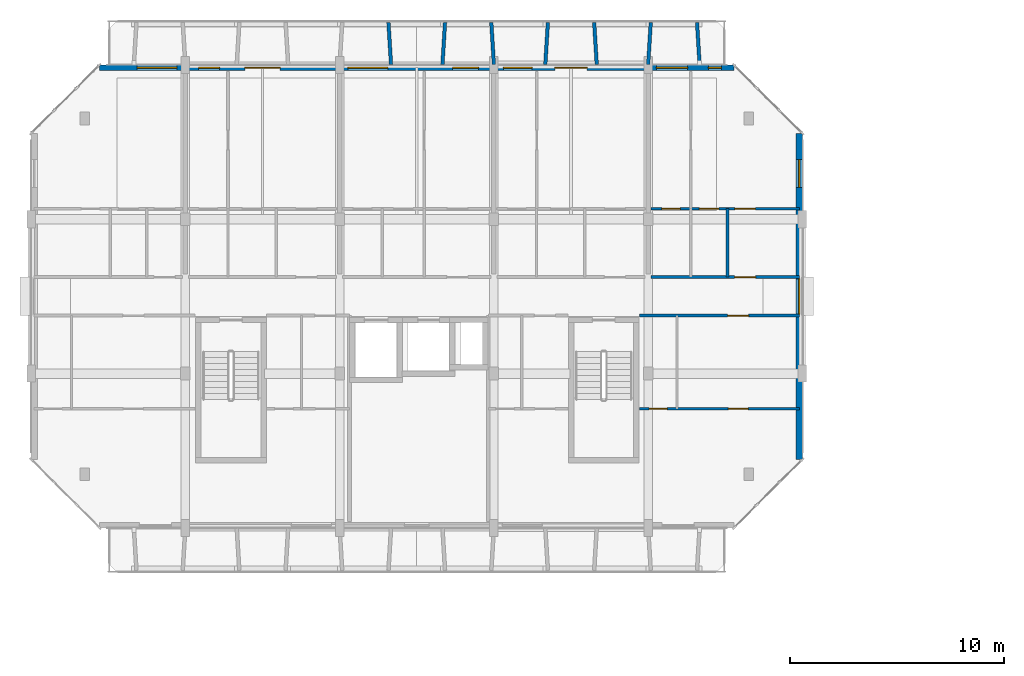
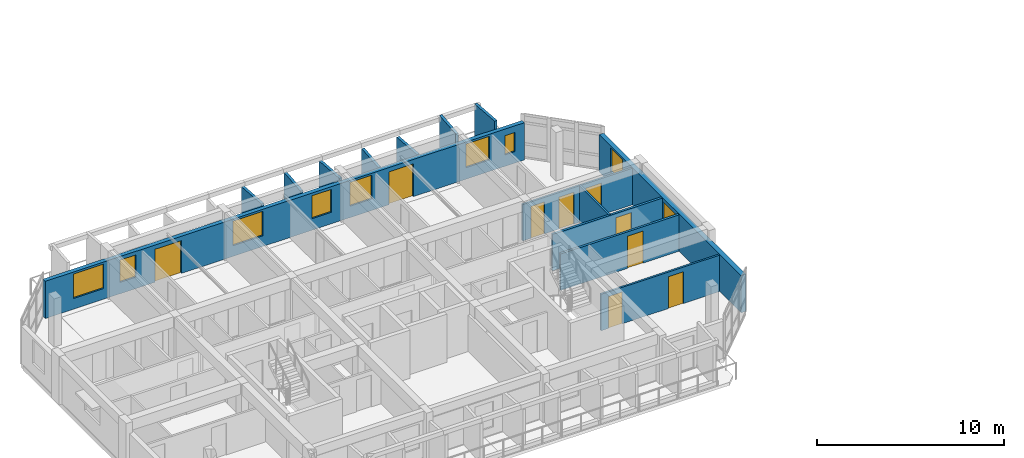
# One storey, part 21 of 40: 14 walls, 9 doors, 9 windows, 18 openings.
"""IFC4 building model written with IfcOpenShell, lengths in metres."""

from ifc_helpers import new_model, si_unit, direction, frame, frame_2d, origin, place, context, subcontext, project, spatial, rectangle, extrude, material, layer, layer_set, type_object, element, fill, save


model = new_model("IFC4")

# Units and contexts
model_context = context("Model", 3, precision=1e-05, world=origin(), true_north=direction((0.0, 1.0)))
body_context = subcontext(model_context, "Body", "Model", "MODEL_VIEW")
ifc_project = project(units=[si_unit("LENGTHUNIT", "METRE"), si_unit("AREAUNIT", "SQUARE_METRE"), si_unit("VOLUMEUNIT", "CUBIC_METRE"), si_unit("PLANEANGLEUNIT", "RADIAN"), si_unit("MASSUNIT", "GRAM", prefix="KILO")], contexts=[model_context])

# Site, building, storey
site_placement = place(None, origin())
site = spatial("IfcSite", under=ifc_project, at=site_placement, CompositionType="ELEMENT")
building_placement = place(site_placement, origin())
building = spatial("IfcBuilding", under=site, at=building_placement, Name="Ochrevale Crest", CompositionType="ELEMENT")
storey_placement = place(building_placement, frame((0.0, 0.0, 27.60009765625)))
storey = spatial("IfcBuildingStorey", under=building, at=storey_placement, Name="L08", CompositionType="ELEMENT", Elevation=27.60009765625)

# Wall, opening, door
ifc_material_1 = material(Name="Gypsum plasterboard", Category="gypsum")
ifc_layer_1 = layer(ifc_material_1, 0.139892578125)
ifc_layer_set_1 = layer_set([ifc_layer_1], Name="Gypsum plasterboard")
wall_type_1 = type_object("IfcWallType", Name="WL-COR-140", PredefinedType="PARTITIONING", material=ifc_layer_set_1)
wall_1_placement = place(storey_placement, frame((28.93994140625, 83.699951171875, 0.0), z_axis=(0.0, 0.0, 1.0), x_axis=(1.0, 0.0, 0.0)))
wall_1 = element("IfcWall", 1, at=wall_1_placement, inside=storey, type_object=wall_type_1, Name="Apartment B-L08-U5 corridor wall", PredefinedType="PARTITIONING", context=body_context, shape_type="SweptSolid", body=[
    extrude(rectangle(XDim=6.920166015625, YDim=0.139892578125, at=frame_2d((3.4599609375, 0.0))), origin(), (0.0, 0.0, 1.0), 2.3798828125),
])
opening_1_placement = place(wall_1_placement, frame((4.875, 0.0, 0.0), z_axis=(0.0, 0.0, 1.0), x_axis=(-1.0, 0.0, 0.0)))
opening_1 = element("IfcOpeningElement", 2, at=opening_1_placement, cuts=wall_1, Name="Opening FD01", PredefinedType="OPENING", context=body_context, shape_type="SweptSolid", body=[
    extrude(rectangle(XDim=0.97998046875, YDim=2.10009765625, at=frame_2d((0.489990234375, 1.050048828125))), frame((0.0, 0.080078125, 0.0), z_axis=(0.0, -1.0, 0.0), x_axis=(1.0, 0.0, 0.0)), (0.0, 0.0, 1.0), 0.159912109375),
])
ifc_material_2 = material(Name="Solid-core FSC hardwood", Category="wood")
door_type_1 = type_object("IfcDoorType", Name="DR-APT-950", OperationType="NOTDEFINED", PredefinedType="DOOR", material=ifc_material_2)
door_1_placement = place(opening_1_placement, origin())
door_1 = element("IfcDoor", 3, at=door_1_placement, inside=storey, type_object=door_type_1, Name="Apartment B-L08-U5 entrance door", OperationType="SINGLE_SWING_RIGHT", OverallHeight=2.10009765625, OverallWidth=0.97998046875, PredefinedType="DOOR", context=body_context, shape_type="SweptSolid", body=[
    extrude(rectangle(XDim=0.97998046875, YDim=2.10009765625, at=frame_2d((0.489990234375, 1.050048828125))), frame((0.0, 0.02490234375, 0.0), z_axis=(0.0, -1.0, 0.0), x_axis=(1.0, 0.0, 0.0)), (0.0, 0.0, 1.0), 0.050048828125),
])
fill(opening_1, door_1)

wall_2_placement = place(storey_placement, frame((28.389892578125, 81.89990234375, 0.0), z_axis=(0.0, 0.0, 1.0), x_axis=(1.0, 0.0, 0.0)))
wall_2 = element("IfcWall", 4, at=wall_2_placement, inside=storey, type_object=wall_type_1, Name="Suite B-L08-CE corridor wall", PredefinedType="PARTITIONING", context=body_context, shape_type="SweptSolid", body=[
    extrude(rectangle(XDim=7.47021484375, YDim=0.139892578125, at=frame_2d((3.735107421875, 0.0))), origin(), (0.0, 0.0, 1.0), 2.3798828125),
])
opening_2_placement = place(wall_2_placement, frame((5.10009765625, 0.0, 0.0), z_axis=(0.0, 0.0, 1.0), x_axis=(-1.0, 0.0, 0.0)))
opening_2 = element("IfcOpeningElement", 5, at=opening_2_placement, cuts=wall_2, Name="Opening FD01", PredefinedType="OPENING", context=body_context, shape_type="SweptSolid", body=[
    extrude(rectangle(XDim=0.97998046875, YDim=2.10009765625, at=frame_2d((0.489990234375, 1.050048828125))), frame((0.0, 0.080078125, 0.0), z_axis=(0.0, -1.0, 0.0), x_axis=(1.0, 0.0, 0.0)), (0.0, 0.0, 1.0), 0.159912109375),
])
door_2_placement = place(opening_2_placement, origin())
door_2 = element("IfcDoor", 6, at=door_2_placement, inside=storey, type_object=door_type_1, Name="Suite B-L08-CE entrance door", OperationType="SINGLE_SWING_RIGHT", OverallHeight=2.10009765625, OverallWidth=0.97998046875, PredefinedType="DOOR", context=body_context, shape_type="SweptSolid", body=[
    extrude(rectangle(XDim=0.97998046875, YDim=2.10009765625, at=frame_2d((0.489990234375, 1.050048828125))), frame((0.0, 0.02490234375, 0.0), z_axis=(0.0, -1.0, 0.0), x_axis=(1.0, 0.0, 0.0)), (0.0, 0.0, 1.0), 0.050048828125),
])
fill(opening_2, door_2)

# Wall, openings, windows
ifc_material_3 = material(Name="Clay face brickwork", Category="masonry")
ifc_layer_2 = layer(ifc_material_3, 0.2900390625)
ifc_layer_set_2 = layer_set([ifc_layer_2], Name="Clay face brickwork")
wall_type_2 = type_object("IfcWallType", Name="WL-EXT-BRICK-290", PredefinedType="SOLIDWALL", material=ifc_layer_set_2)
wall_3_placement = place(storey_placement, frame((35.85498046875, 75.199951171875, 0.0), z_axis=(0.0, 0.0, 1.0), x_axis=(0.0, 1.0, 0.0)))
wall_3 = element("IfcWall", 7, at=wall_3_placement, inside=storey, type_object=wall_type_2, Name="Block B L08 external facade wall E3", PredefinedType="SOLIDWALL", context=body_context, shape_type="SweptSolid", body=[
    extrude(rectangle(XDim=15.199951171875, YDim=0.2900390625, at=frame_2d((7.60009765625, 0.0))), origin(), (0.0, 0.0, 1.0), 2.429931640625),
])
opening_3_placement = place(wall_3_placement, frame((6.77490234375, 0.0, 1.050048828125)))
opening_3 = element("IfcOpeningElement", 8, at=opening_3_placement, cuts=wall_3, Name="Opening W19", PredefinedType="OPENING", context=body_context, shape_type="SweptSolid", body=[
    extrude(rectangle(XDim=1.64990234375, YDim=1.14990234375, at=frame_2d((0.824951171875, 0.574951171875))), frame((0.0, 0.155029296875, 0.0), z_axis=(0.0, -1.0, 0.0), x_axis=(1.0, 0.0, 0.0)), (0.0, 0.0, 1.0), 0.31005859375),
])
opening_4_placement = place(wall_3_placement, frame((12.68505859375, 0.0, 0.75)))
opening_4 = element("IfcOpeningElement", 9, at=opening_4_placement, cuts=wall_3, Name="Opening W30", PredefinedType="OPENING", context=body_context, shape_type="SweptSolid", body=[
    extrude(rectangle(XDim=1.300048828125, YDim=1.550048828125, at=frame_2d((0.64990234375, 0.77490234375))), frame((0.0, 0.155029296875, 0.0), z_axis=(0.0, -1.0, 0.0), x_axis=(1.0, 0.0, 0.0)), (0.0, 0.0, 1.0), 0.31005859375),
])
ifc_material_4 = material(Name="Anodised aluminium 6063-T5 and low-E double glazing", Category="aluminium")
window_type_1 = type_object("IfcWindowType", Name="WIN-W19", PartitioningType="SINGLE_PANEL", PredefinedType="WINDOW", material=ifc_material_4)
window_1_placement = place(opening_3_placement, origin())
window_1 = element("IfcWindow", 10, at=window_1_placement, inside=storey, type_object=window_type_1, Name="Block B L08 corridor end daylight window E", OverallHeight=1.14990234375, OverallWidth=1.64990234375, PartitioningType="SINGLE_PANEL", PredefinedType="WINDOW", context=body_context, shape_type="SweptSolid", body=[
    extrude(rectangle(XDim=1.64990234375, YDim=1.14990234375, at=frame_2d((0.824951171875, 0.574951171875))), frame((0.0, 0.030029296875, 0.0), z_axis=(0.0, -1.0, 0.0), x_axis=(1.0, 0.0, 0.0)), (0.0, 0.0, 1.0), 0.06005859375),
])
fill(opening_3, window_1)
window_type_2 = type_object("IfcWindowType", Name="WIN-W30", PartitioningType="SINGLE_PANEL", PredefinedType="WINDOW", material=ifc_material_4)
window_2_placement = place(opening_4_placement, origin())
window_2 = element("IfcWindow", 11, at=window_2_placement, inside=storey, type_object=window_type_2, Name="Block B L08 side suite window E", OverallHeight=1.550048828125, OverallWidth=1.300048828125, PartitioningType="SINGLE_PANEL", PredefinedType="WINDOW", context=body_context, shape_type="SweptSolid", body=[
    extrude(rectangle(XDim=1.300048828125, YDim=1.550048828125, at=frame_2d((0.64990234375, 0.77490234375))), frame((0.0, 0.030029296875, 0.0), z_axis=(0.0, -1.0, 0.0), x_axis=(1.0, 0.0, 0.0)), (0.0, 0.0, 1.0), 0.06005859375),
])
fill(opening_4, window_2)

# Wall, openings, doors, windows
ifc_material_5 = material(Name="Precast concrete C40/50", Category="concrete")
ifc_layer_3 = layer(ifc_material_5, 0.25)
ifc_layer_set_3 = layer_set([ifc_layer_3], Name="Precast concrete C40/50")
wall_type_3 = type_object("IfcWallType", Name="WL-EXT-GOLD-250", PredefinedType="SOLIDWALL", material=ifc_layer_set_3)
wall_4_placement = place(storey_placement, frame((32.800048828125, 93.47509765625, 0.0), z_axis=(0.0, 0.0, 1.0), x_axis=(-1.0, 0.0, 0.0)))
wall_4 = element("IfcWall", 12, at=wall_4_placement, inside=storey, type_object=wall_type_3, Name="Block B L08 external facade wall E5", PredefinedType="SOLIDWALL", context=body_context, shape_type="SweptSolid", body=[
    extrude(rectangle(XDim=29.60009765625, YDim=0.25, at=frame_2d((14.800048828125, 0.0))), origin(), (0.0, 0.0, 1.0), 2.429931640625),
])
opening_5_placement = place(wall_4_placement, frame((22.824951171875, 0.0, 0.0), z_axis=(0.0, 0.0, 1.0), x_axis=(-1.0, 0.0, 0.0)))
opening_5 = element("IfcOpeningElement", 13, at=opening_5_placement, cuts=wall_4, Name="Opening BD02", PredefinedType="OPENING", context=body_context, shape_type="SweptSolid", body=[
    extrude(rectangle(XDim=1.64990234375, YDim=2.14990234375, at=frame_2d((0.824951171875, 1.074951171875))), frame((0.0, 0.135009765625, 0.0), z_axis=(0.0, -1.0, 0.0), x_axis=(1.0, 0.0, 0.0)), (0.0, 0.0, 1.0), 0.27001953125),
])
opening_6_placement = place(wall_4_placement, frame((8.35009765625, 0.0, 0.0), z_axis=(0.0, 0.0, 1.0), x_axis=(-1.0, 0.0, 0.0)))
opening_6 = element("IfcOpeningElement", 14, at=opening_6_placement, cuts=wall_4, Name="Opening BD01", PredefinedType="OPENING", context=body_context, shape_type="SweptSolid", body=[
    extrude(rectangle(XDim=1.5, YDim=2.14990234375, at=frame_2d((0.75, 1.074951171875))), frame((0.0, 0.135009765625, 0.0), z_axis=(0.0, -1.0, 0.0), x_axis=(1.0, 0.0, 0.0)), (0.0, 0.0, 1.0), 0.27001953125),
])
opening_7_placement = place(wall_4_placement, frame((25.989990234375, 0.0, 0.699951171875)))
opening_7 = element("IfcOpeningElement", 15, at=opening_7_placement, cuts=wall_4, Name="Opening W11", PredefinedType="OPENING", context=body_context, shape_type="SweptSolid", body=[
    extrude(rectangle(XDim=1.860107421875, YDim=1.60009765625, at=frame_2d((0.93017578125, 0.800048828125))), frame((0.0, 0.135009765625, 0.0), z_axis=(0.0, -1.0, 0.0), x_axis=(1.0, 0.0, 0.0)), (0.0, 0.0, 1.0), 0.27001953125),
])
opening_8_placement = place(wall_4_placement, frame((24.0, 0.0, 0.75)))
opening_8 = element("IfcOpeningElement", 16, at=opening_8_placement, cuts=wall_4, Name="Opening W04", PredefinedType="OPENING", context=body_context, shape_type="SweptSolid", body=[
    extrude(rectangle(XDim=0.97998046875, YDim=1.449951171875, at=frame_2d((0.489990234375, 0.72509765625))), frame((0.0, 0.135009765625, 0.0), z_axis=(0.0, -1.0, 0.0), x_axis=(1.0, 0.0, 0.0)), (0.0, 0.0, 1.0), 0.27001953125),
])
opening_9_placement = place(wall_4_placement, frame((16.14990234375, 0.0, 0.699951171875)))
opening_9 = element("IfcOpeningElement", 17, at=opening_9_placement, cuts=wall_4, Name="Opening W11", PredefinedType="OPENING", context=body_context, shape_type="SweptSolid", body=[
    extrude(rectangle(XDim=1.860107421875, YDim=1.60009765625, at=frame_2d((0.93017578125, 0.800048828125))), frame((0.0, 0.135009765625, 0.0), z_axis=(0.0, -1.0, 0.0), x_axis=(1.0, 0.0, 0.0)), (0.0, 0.0, 1.0), 0.27001953125),
])
opening_10_placement = place(wall_4_placement, frame((11.909912109375, 0.0, 0.75)))
opening_10 = element("IfcOpeningElement", 18, at=opening_10_placement, cuts=wall_4, Name="Opening W06", PredefinedType="OPENING", context=body_context, shape_type="SweptSolid", body=[
    extrude(rectangle(XDim=1.219970703125, YDim=1.5, at=frame_2d((0.60986328125, 0.75))), frame((0.0, 0.135009765625, 0.0), z_axis=(0.0, -1.0, 0.0), x_axis=(1.0, 0.0, 0.0)), (0.0, 0.0, 1.0), 0.27001953125),
])
opening_11_placement = place(wall_4_placement, frame((9.419921875, 0.0, 0.75)))
opening_11 = element("IfcOpeningElement", 19, at=opening_11_placement, cuts=wall_4, Name="Opening W07", PredefinedType="OPENING", context=body_context, shape_type="SweptSolid", body=[
    extrude(rectangle(XDim=1.340087890625, YDim=1.550048828125, at=frame_2d((0.669921875, 0.77490234375))), frame((0.0, 0.135009765625, 0.0), z_axis=(0.0, -1.0, 0.0), x_axis=(1.0, 0.0, 0.0)), (0.0, 0.0, 1.0), 0.27001953125),
])
opening_12_placement = place(wall_4_placement, frame((2.159912109375, 0.0, 0.75)))
opening_12 = element("IfcOpeningElement", 20, at=opening_12_placement, cuts=wall_4, Name="Opening W08", PredefinedType="OPENING", context=body_context, shape_type="SweptSolid", body=[
    extrude(rectangle(XDim=1.4599609375, YDim=1.550048828125, at=frame_2d((0.72998046875, 0.77490234375))), frame((0.0, 0.135009765625, 0.0), z_axis=(0.0, -1.0, 0.0), x_axis=(1.0, 0.0, 0.0)), (0.0, 0.0, 1.0), 0.27001953125),
])
opening_13_placement = place(wall_4_placement, frame((0.5849609375, 0.0, 0.75)))
opening_13 = element("IfcOpeningElement", 21, at=opening_13_placement, cuts=wall_4, Name="Opening W01", PredefinedType="OPENING", context=body_context, shape_type="SweptSolid", body=[
    extrude(rectangle(XDim=0.60009765625, YDim=1.25, at=frame_2d((0.300048828125, 0.625))), frame((0.0, 0.135009765625, 0.0), z_axis=(0.0, -1.0, 0.0), x_axis=(1.0, 0.0, 0.0)), (0.0, 0.0, 1.0), 0.27001953125),
])
ifc_material_6 = material(Name="Anodised aluminium 6063-T5 and toughened glass", Category="aluminium")
door_type_2 = type_object("IfcDoorType", Name="DR-BAL-1500", OperationType="NOTDEFINED", PredefinedType="DOOR", material=ifc_material_6)
door_3_placement = place(opening_6_placement, origin())
door_3 = element("IfcDoor", 22, at=door_3_placement, inside=storey, type_object=door_type_2, Name="Block B L08 balcony door N4", OperationType="SINGLE_SWING_LEFT", OverallHeight=2.14990234375, OverallWidth=1.5, PredefinedType="DOOR", context=body_context, shape_type="SweptSolid", body=[
    extrude(rectangle(XDim=1.5, YDim=2.14990234375, at=frame_2d((0.75, 1.074951171875))), frame((0.0, 0.02490234375, 0.0), z_axis=(0.0, -1.0, 0.0), x_axis=(1.0, 0.0, 0.0)), (0.0, 0.0, 1.0), 0.050048828125),
])
fill(opening_6, door_3)
door_type_3 = type_object("IfcDoorType", Name="DR-BAL-1650", OperationType="NOTDEFINED", PredefinedType="DOOR", material=ifc_material_6)
door_4_placement = place(opening_5_placement, origin())
door_4 = element("IfcDoor", 23, at=door_4_placement, inside=storey, type_object=door_type_3, Name="Block B L08 balcony door N2", OperationType="SINGLE_SWING_RIGHT", OverallHeight=2.14990234375, OverallWidth=1.64990234375, PredefinedType="DOOR", context=body_context, shape_type="SweptSolid", body=[
    extrude(rectangle(XDim=1.64990234375, YDim=2.14990234375, at=frame_2d((0.824951171875, 1.074951171875))), frame((0.0, 0.02490234375, 0.0), z_axis=(0.0, -1.0, 0.0), x_axis=(1.0, 0.0, 0.0)), (0.0, 0.0, 1.0), 0.050048828125),
])
fill(opening_5, door_4)
window_type_3 = type_object("IfcWindowType", Name="WIN-W01", PartitioningType="SINGLE_PANEL", PredefinedType="WINDOW", material=ifc_material_4)
window_3_placement = place(opening_13_placement, origin())
window_3 = element("IfcWindow", 24, at=window_3_placement, inside=storey, type_object=window_type_3, Name="Block B L08 Apartment B-L08-U5 Two Bedroom Living Room window", OverallHeight=1.25, OverallWidth=0.60009765625, PartitioningType="SINGLE_PANEL", PredefinedType="WINDOW", context=body_context, shape_type="SweptSolid", body=[
    extrude(rectangle(XDim=0.60009765625, YDim=1.25, at=frame_2d((0.300048828125, 0.625))), frame((0.0, 0.030029296875, 0.0), z_axis=(0.0, -1.0, 0.0), x_axis=(1.0, 0.0, 0.0)), (0.0, 0.0, 1.0), 0.06005859375),
])
fill(opening_13, window_3)
window_type_4 = type_object("IfcWindowType", Name="WIN-W04", PartitioningType="SINGLE_PANEL", PredefinedType="WINDOW", material=ifc_material_4)
window_4_placement = place(opening_8_placement, origin())
window_4 = element("IfcWindow", 25, at=window_4_placement, inside=storey, type_object=window_type_4, Name="Block B L08 Apartment B-L08-U2 Double Bedroom window", OverallHeight=1.449951171875, OverallWidth=0.97998046875, PartitioningType="SINGLE_PANEL", PredefinedType="WINDOW", context=body_context, shape_type="SweptSolid", body=[
    extrude(rectangle(XDim=0.97998046875, YDim=1.449951171875, at=frame_2d((0.489990234375, 0.72509765625))), frame((0.0, 0.030029296875, 0.0), z_axis=(0.0, -1.0, 0.0), x_axis=(1.0, 0.0, 0.0)), (0.0, 0.0, 1.0), 0.06005859375),
])
fill(opening_8, window_4)
window_type_5 = type_object("IfcWindowType", Name="WIN-W06", PartitioningType="SINGLE_PANEL", PredefinedType="WINDOW", material=ifc_material_4)
window_5_placement = place(opening_10_placement, origin())
window_5 = element("IfcWindow", 26, at=window_5_placement, inside=storey, type_object=window_type_5, Name="Block B L08 Apartment B-L08-U3 One Bedroom Living Room window", OverallHeight=1.5, OverallWidth=1.219970703125, PartitioningType="SINGLE_PANEL", PredefinedType="WINDOW", context=body_context, shape_type="SweptSolid", body=[
    extrude(rectangle(XDim=1.219970703125, YDim=1.5, at=frame_2d((0.60986328125, 0.75))), frame((0.0, 0.030029296875, 0.0), z_axis=(0.0, -1.0, 0.0), x_axis=(1.0, 0.0, 0.0)), (0.0, 0.0, 1.0), 0.06005859375),
])
fill(opening_10, window_5)
window_type_6 = type_object("IfcWindowType", Name="WIN-W07", PartitioningType="SINGLE_PANEL", PredefinedType="WINDOW", material=ifc_material_4)
window_6_placement = place(opening_11_placement, origin())
window_6 = element("IfcWindow", 27, at=window_6_placement, inside=storey, type_object=window_type_6, Name="Block B L08 Apartment B-L08-U4 Twin Bedroom window", OverallHeight=1.550048828125, OverallWidth=1.340087890625, PartitioningType="SINGLE_PANEL", PredefinedType="WINDOW", context=body_context, shape_type="SweptSolid", body=[
    extrude(rectangle(XDim=1.340087890625, YDim=1.550048828125, at=frame_2d((0.669921875, 0.77490234375))), frame((0.0, 0.030029296875, 0.0), z_axis=(0.0, -1.0, 0.0), x_axis=(1.0, 0.0, 0.0)), (0.0, 0.0, 1.0), 0.06005859375),
])
fill(opening_11, window_6)
window_type_7 = type_object("IfcWindowType", Name="WIN-W08", PartitioningType="SINGLE_PANEL", PredefinedType="WINDOW", material=ifc_material_4)
window_7_placement = place(opening_12_placement, origin())
window_7 = element("IfcWindow", 28, at=window_7_placement, inside=storey, type_object=window_type_7, Name="Block B L08 Apartment B-L08-U5 Double Bedroom window", OverallHeight=1.550048828125, OverallWidth=1.4599609375, PartitioningType="SINGLE_PANEL", PredefinedType="WINDOW", context=body_context, shape_type="SweptSolid", body=[
    extrude(rectangle(XDim=1.4599609375, YDim=1.550048828125, at=frame_2d((0.72998046875, 0.77490234375))), frame((0.0, 0.030029296875, 0.0), z_axis=(0.0, -1.0, 0.0), x_axis=(1.0, 0.0, 0.0)), (0.0, 0.0, 1.0), 0.06005859375),
])
fill(opening_12, window_7)
window_type_8 = type_object("IfcWindowType", Name="WIN-W11", PartitioningType="SINGLE_PANEL", PredefinedType="WINDOW", material=ifc_material_4)
window_8_placement = place(opening_7_placement, origin())
window_8 = element("IfcWindow", 29, at=window_8_placement, inside=storey, type_object=window_type_8, Name="Block B L08 Studio B-L08-U1 Living Room window", OverallHeight=1.60009765625, OverallWidth=1.860107421875, PartitioningType="SINGLE_PANEL", PredefinedType="WINDOW", context=body_context, shape_type="SweptSolid", body=[
    extrude(rectangle(XDim=1.860107421875, YDim=1.60009765625, at=frame_2d((0.93017578125, 0.800048828125))), frame((0.0, 0.030029296875, 0.0), z_axis=(0.0, -1.0, 0.0), x_axis=(1.0, 0.0, 0.0)), (0.0, 0.0, 1.0), 0.06005859375),
])
fill(opening_7, window_8)
window_9_placement = place(opening_9_placement, origin())
window_9 = element("IfcWindow", 30, at=window_9_placement, inside=storey, type_object=window_type_8, Name="Block B L08 Apartment B-L08-U3 Master Bedroom window", OverallHeight=1.60009765625, OverallWidth=1.860107421875, PartitioningType="SINGLE_PANEL", PredefinedType="WINDOW", context=body_context, shape_type="SweptSolid", body=[
    extrude(rectangle(XDim=1.860107421875, YDim=1.60009765625, at=frame_2d((0.93017578125, 0.800048828125))), frame((0.0, 0.030029296875, 0.0), z_axis=(0.0, -1.0, 0.0), x_axis=(1.0, 0.0, 0.0)), (0.0, 0.0, 1.0), 0.06005859375),
])
fill(opening_9, window_9)

# Walls
ifc_layer_4 = layer(ifc_material_5, 0.1650390625)
ifc_layer_set_4 = layer_set([ifc_layer_4], Name="Precast concrete C40/50")
wall_type_4 = type_object("IfcWallType", Name="WL-HC-CHEEK-165", PredefinedType="ELEMENTEDWALL", material=ifc_layer_set_4)
for number, where, z_axis, x_axis, name in (
    (31, (16.800048828125, 93.6201171875, 0.0), (0.0, 0.0, 1.0), (-0.061170732449, 0.998127317276, 0.0), "Block B L08 N precast honeycomb cheek 6"),
    (32, (19.199951171875, 93.6201171875, 0.0), (0.0, 0.0, 1.0), (0.061170732449, 0.998127317276, 0.0), "Block B L08 N precast honeycomb cheek 7"),
    (33, (21.60009765625, 93.6201171875, 0.0), (0.0, 0.0, 1.0), (-0.061170732449, 0.998127317276, 0.0), "Block B L08 N precast honeycomb cheek 8"),
):
    element("IfcWall", number, at=place(storey_placement, frame(where, z_axis=z_axis, x_axis=x_axis)), inside=storey, type_object=wall_type_4, Name=name, PredefinedType="ELEMENTEDWALL", context=body_context, shape_type="SweptSolid", body=[
        extrude(rectangle(XDim=1.963623046875, YDim=0.1650390625, at=frame_2d((0.98193359375, 0.0))), origin(), (0.0, 0.0, 1.0), 2.579833984375),
    ])
for number, where, z_axis, x_axis, name in (
    (34, (24.0, 93.6201171875, 0.0), (0.0, 0.0, 1.0), (0.061170732449, 0.998127317276, 0.0), "Block B L08 N precast honeycomb cheek 9"),
    (35, (26.39990234375, 93.6201171875, 0.0), (0.0, 0.0, 1.0), (-0.061046865508, 0.998134900808, 0.0), "Block B L08 N precast honeycomb cheek 10"),
):
    element("IfcWall", number, at=place(storey_placement, frame(where, z_axis=z_axis, x_axis=x_axis)), inside=storey, type_object=wall_type_4, Name=name, PredefinedType="ELEMENTEDWALL", context=body_context, shape_type="SweptSolid", body=[
        extrude(rectangle(XDim=1.963623046875, YDim=0.1650390625, at=frame_2d((0.98193359375, 0.0))), origin(), (0.0, 0.0, 1.0), 2.449951171875),
    ])
for number, where, z_axis, x_axis, name in (
    (36, (28.800048828125, 93.6201171875, 0.0), (0.0, 0.0, 1.0), (0.061046865508, 0.998134900808, 0.0), "Block B L08 N precast honeycomb cheek 11"),
    (37, (31.199951171875, 93.6201171875, 0.0), (0.0, 0.0, 1.0), (-0.061046865508, 0.998134900808, 0.0), "Block B L08 N precast honeycomb cheek 12"),
):
    element("IfcWall", number, at=place(storey_placement, frame(where, z_axis=z_axis, x_axis=x_axis)), inside=storey, type_object=wall_type_4, Name=name, PredefinedType="ELEMENTEDWALL", context=body_context, shape_type="SweptSolid", body=[
        extrude(rectangle(XDim=1.963623046875, YDim=0.1650390625, at=frame_2d((0.98193359375, 0.0))), origin(), (0.0, 0.0, 1.0), 2.949951171875),
    ])
ifc_layer_5 = layer(ifc_material_1, 0.1201171875)
ifc_layer_set_5 = layer_set([ifc_layer_5], Name="Gypsum plasterboard")
wall_type_5 = type_object("IfcWallType", Name="WL-PART-120", PredefinedType="PARTITIONING", material=ifc_layer_set_5)
wall_5_placement = place(storey_placement, frame((32.5, 83.699951171875, 0.0), z_axis=(0.0, 0.0, 1.0), x_axis=(0.0, 1.0, 0.0)))
element("IfcWall", 38, at=wall_5_placement, inside=storey, type_object=wall_type_5, Name="Apartment B-L08-U5 kitchen-foyer wall", PredefinedType="PARTITIONING", context=body_context, shape_type="SweptSolid", body=[
    extrude(rectangle(XDim=3.199951171875, YDim=0.1201171875, at=frame_2d((1.60009765625, 0.0))), origin(), (0.0, 0.0, 1.0), 2.3798828125),
])

# Wall, openings, doors
wall_6_placement = place(storey_placement, frame((28.93994140625, 86.89990234375, 0.0), z_axis=(0.0, 0.0, 1.0), x_axis=(1.0, 0.0, 0.0)))
wall_6 = element("IfcWall", 39, at=wall_6_placement, inside=storey, type_object=wall_type_5, Name="Apartment B-L08-U5 central partition", PredefinedType="PARTITIONING", context=body_context, shape_type="SweptSolid", body=[
    extrude(rectangle(XDim=6.920166015625, YDim=0.1201171875, at=frame_2d((3.4599609375, 0.0))), origin(), (0.0, 0.0, 1.0), 2.3798828125),
])
opening_14_placement = place(wall_6_placement, frame((0.5, 0.0, 0.0)))
opening_14 = element("IfcOpeningElement", 40, at=opening_14_placement, cuts=wall_6, Name="Opening ID01", PredefinedType="OPENING", context=body_context, shape_type="SweptSolid", body=[
    extrude(rectangle(XDim=0.85009765625, YDim=2.080078125, at=frame_2d((0.425048828125, 1.0400390625))), frame((0.0, 0.070068359375, 0.0), z_axis=(0.0, -1.0, 0.0), x_axis=(1.0, 0.0, 0.0)), (0.0, 0.0, 1.0), 0.14013671875),
])
opening_15_placement = place(wall_6_placement, frame((3.15478515625, 0.0, 0.0), z_axis=(0.0, 0.0, 1.0), x_axis=(-1.0, 0.0, 0.0)))
opening_15 = element("IfcOpeningElement", 41, at=opening_15_placement, cuts=wall_6, Name="Opening ID02", PredefinedType="OPENING", context=body_context, shape_type="SweptSolid", body=[
    extrude(rectangle(XDim=0.89990234375, YDim=2.080078125, at=frame_2d((0.449951171875, 1.0400390625))), frame((0.0, 0.070068359375, 0.0), z_axis=(0.0, -1.0, 0.0), x_axis=(1.0, 0.0, 0.0)), (0.0, 0.0, 1.0), 0.14013671875),
])
opening_16_placement = place(wall_6_placement, frame((3.909912109375, 0.0, 0.0)))
opening_16 = element("IfcOpeningElement", 42, at=opening_16_placement, cuts=wall_6, Name="Opening ID06", PredefinedType="OPENING", context=body_context, shape_type="SweptSolid", body=[
    extrude(rectangle(XDim=0.949951171875, YDim=2.080078125, at=frame_2d((0.47509765625, 1.0400390625))), frame((0.0, 0.070068359375, 0.0), z_axis=(0.0, -1.0, 0.0), x_axis=(1.0, 0.0, 0.0)), (0.0, 0.0, 1.0), 0.14013671875),
])
door_type_4 = type_object("IfcDoorType", Name="DR-INT-900", OperationType="NOTDEFINED", PredefinedType="DOOR", material=ifc_material_2)
door_5_placement = place(opening_15_placement, origin())
door_5 = element("IfcDoor", 43, at=door_5_placement, inside=storey, type_object=door_type_4, Name="Apartment B-L08-U5 Kitchen door", OperationType="SINGLE_SWING_RIGHT", OverallHeight=2.080078125, OverallWidth=0.89990234375, PredefinedType="DOOR", context=body_context, shape_type="SweptSolid", body=[
    extrude(rectangle(XDim=0.89990234375, YDim=2.080078125, at=frame_2d((0.449951171875, 1.0400390625))), frame((0.0, 0.02490234375, 0.0), z_axis=(0.0, -1.0, 0.0), x_axis=(1.0, 0.0, 0.0)), (0.0, 0.0, 1.0), 0.050048828125),
])
fill(opening_15, door_5)
door_type_5 = type_object("IfcDoorType", Name="DR-INT-950", OperationType="NOTDEFINED", PredefinedType="DOOR", material=ifc_material_2)
door_6_placement = place(opening_16_placement, origin())
door_6 = element("IfcDoor", 44, at=door_6_placement, inside=storey, type_object=door_type_5, Name="Apartment B-L08-U5 Living Foyer door", OperationType="SINGLE_SWING_LEFT", OverallHeight=2.080078125, OverallWidth=0.949951171875, PredefinedType="DOOR", context=body_context, shape_type="SweptSolid", body=[
    extrude(rectangle(XDim=0.949951171875, YDim=2.080078125, at=frame_2d((0.47509765625, 1.0400390625))), frame((0.0, 0.02490234375, 0.0), z_axis=(0.0, -1.0, 0.0), x_axis=(1.0, 0.0, 0.0)), (0.0, 0.0, 1.0), 0.050048828125),
])
fill(opening_16, door_6)
door_type_6 = type_object("IfcDoorType", Name="DR-WC-850", OperationType="NOTDEFINED", PredefinedType="DOOR", material=ifc_material_2)
door_7_placement = place(opening_14_placement, origin())
door_7 = element("IfcDoor", 45, at=door_7_placement, inside=storey, type_object=door_type_6, Name="Apartment B-L08-U5 Bathroom door", OperationType="SINGLE_SWING_LEFT", OverallHeight=2.080078125, OverallWidth=0.85009765625, PredefinedType="DOOR", context=body_context, shape_type="SweptSolid", body=[
    extrude(rectangle(XDim=0.85009765625, YDim=2.080078125, at=frame_2d((0.425048828125, 1.0400390625))), frame((0.0, 0.02490234375, 0.0), z_axis=(0.0, -1.0, 0.0), x_axis=(1.0, 0.0, 0.0)), (0.0, 0.0, 1.0), 0.050048828125),
])
fill(opening_14, door_7)

wall_7_placement = place(storey_placement, frame((28.389892578125, 77.550048828125, 0.0), z_axis=(0.0, 0.0, 1.0), x_axis=(1.0, 0.0, 0.0)))
wall_7 = element("IfcWall", 46, at=wall_7_placement, inside=storey, type_object=wall_type_5, Name="Suite B-L08-CE internal wall", PredefinedType="PARTITIONING", context=body_context, shape_type="SweptSolid", body=[
    extrude(rectangle(XDim=7.47021484375, YDim=0.1201171875, at=frame_2d((3.735107421875, 0.0))), origin(), (0.0, 0.0, 1.0), 2.3798828125),
])
opening_17_placement = place(wall_7_placement, frame((0.449951171875, 0.0, 0.0)))
opening_17 = element("IfcOpeningElement", 47, at=opening_17_placement, cuts=wall_7, Name="Opening ID01", PredefinedType="OPENING", context=body_context, shape_type="SweptSolid", body=[
    extrude(rectangle(XDim=0.85009765625, YDim=2.080078125, at=frame_2d((0.425048828125, 1.0400390625))), frame((0.0, 0.070068359375, 0.0), z_axis=(0.0, -1.0, 0.0), x_axis=(1.0, 0.0, 0.0)), (0.0, 0.0, 1.0), 0.14013671875),
])
opening_18_placement = place(wall_7_placement, frame((5.06982421875, 0.0, 0.0), z_axis=(0.0, 0.0, 1.0), x_axis=(-1.0, 0.0, 0.0)))
opening_18 = element("IfcOpeningElement", 48, at=opening_18_placement, cuts=wall_7, Name="Opening ID04", PredefinedType="OPENING", context=body_context, shape_type="SweptSolid", body=[
    extrude(rectangle(XDim=0.919921875, YDim=2.080078125, at=frame_2d((0.4599609375, 1.0400390625))), frame((0.0, 0.070068359375, 0.0), z_axis=(0.0, -1.0, 0.0), x_axis=(1.0, 0.0, 0.0)), (0.0, 0.0, 1.0), 0.14013671875),
])
door_type_7 = type_object("IfcDoorType", Name="DR-INT-920", OperationType="NOTDEFINED", PredefinedType="DOOR", material=ifc_material_2)
door_8_placement = place(opening_18_placement, origin())
door_8 = element("IfcDoor", 49, at=door_8_placement, inside=storey, type_object=door_type_7, Name="Suite B-L08-CE Master Bedroom door", OperationType="SINGLE_SWING_RIGHT", OverallHeight=2.080078125, OverallWidth=0.919921875, PredefinedType="DOOR", context=body_context, shape_type="SweptSolid", body=[
    extrude(rectangle(XDim=0.919921875, YDim=2.080078125, at=frame_2d((0.4599609375, 1.0400390625))), frame((0.0, 0.02490234375, 0.0), z_axis=(0.0, -1.0, 0.0), x_axis=(1.0, 0.0, 0.0)), (0.0, 0.0, 1.0), 0.050048828125),
])
fill(opening_18, door_8)
door_9_placement = place(opening_17_placement, origin())
door_9 = element("IfcDoor", 50, at=door_9_placement, inside=storey, type_object=door_type_6, Name="Suite B-L08-CE Bathroom door", OperationType="SINGLE_SWING_LEFT", OverallHeight=2.080078125, OverallWidth=0.85009765625, PredefinedType="DOOR", context=body_context, shape_type="SweptSolid", body=[
    extrude(rectangle(XDim=0.85009765625, YDim=2.080078125, at=frame_2d((0.425048828125, 1.0400390625))), frame((0.0, 0.02490234375, 0.0), z_axis=(0.0, -1.0, 0.0), x_axis=(1.0, 0.0, 0.0)), (0.0, 0.0, 1.0), 0.050048828125),
])
fill(opening_17, door_9)

save(model, "model.ifc")
